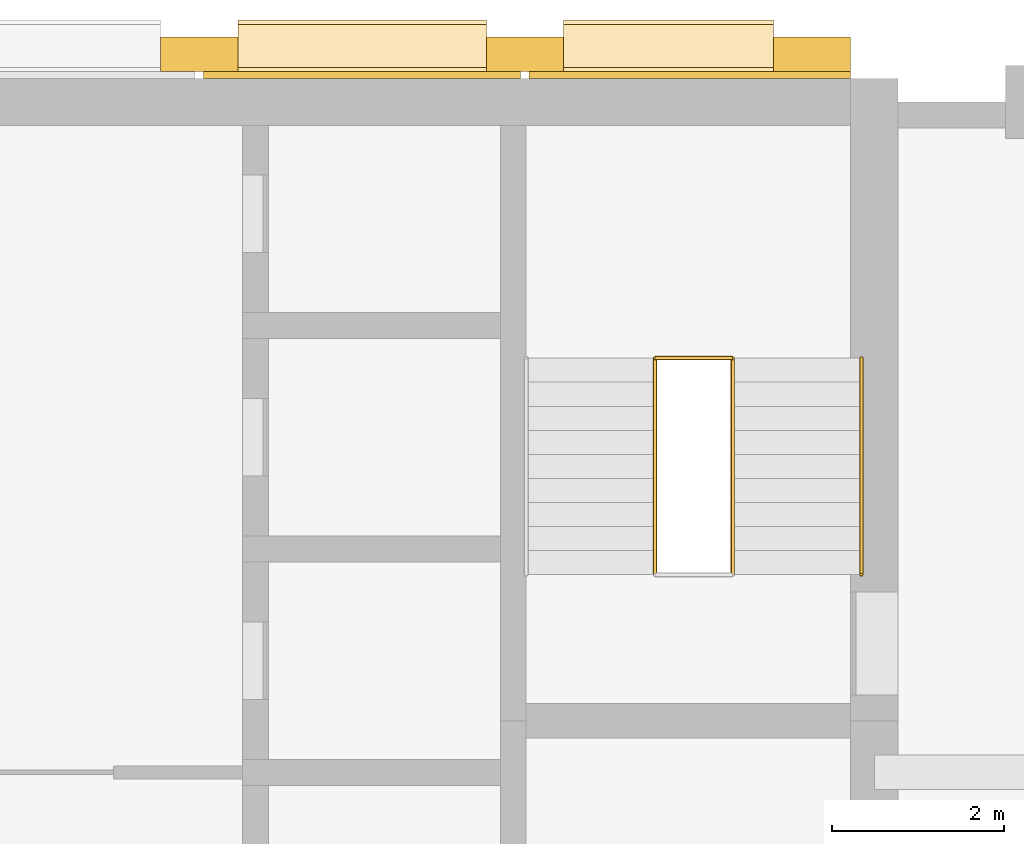
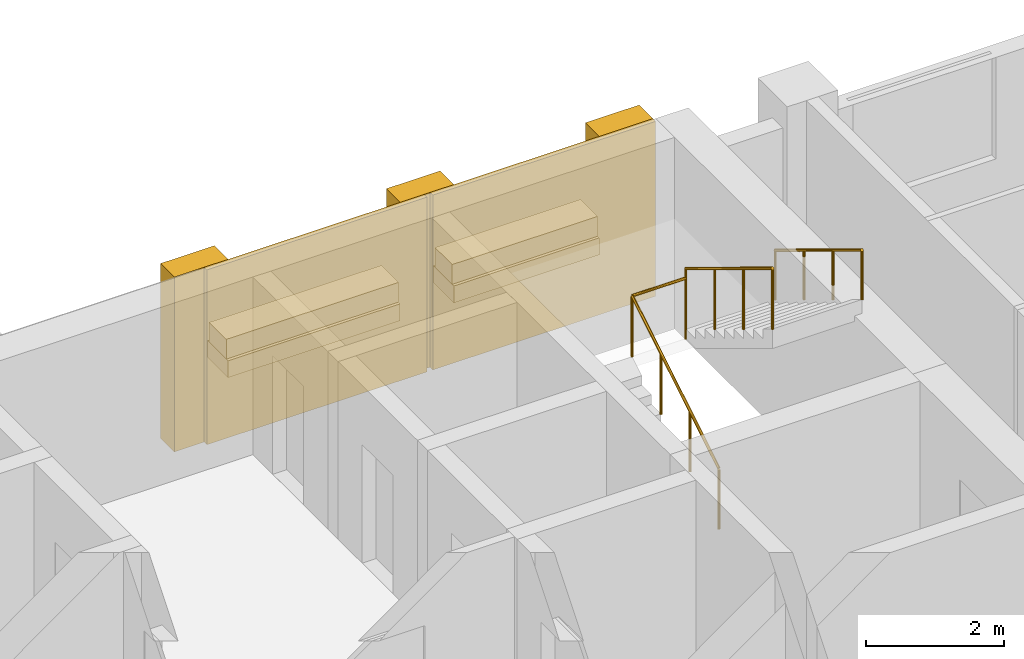
# One storey, part 13 of 13: 9 coverings, 4 railings, 1 element without a shape of its own.
"""IFC4 building model written with IfcOpenShell, lengths in metres."""

from ifc_helpers import new_model, si_unit, direction, frame, origin, origin_2d, place, context, subcontext, project, spatial, rectangle, circle, extrude, material, layer, layer_set, type_object, element, aggregate, save


model = new_model("IFC4")

# Units and contexts
model_context = context("Model", 3, precision=1e-05, world=origin(), true_north=direction((0.0, 1.0)))
body_context = subcontext(model_context, "Body", "Model", "MODEL_VIEW")
ifc_project = project(units=[si_unit("LENGTHUNIT", "METRE"), si_unit("AREAUNIT", "SQUARE_METRE"), si_unit("VOLUMEUNIT", "CUBIC_METRE"), si_unit("PLANEANGLEUNIT", "RADIAN"), si_unit("MASSUNIT", "GRAM", prefix="KILO")], contexts=[model_context])

# Site, building, storey
site_placement = place(None, origin())
site = spatial("IfcSite", under=ifc_project, at=site_placement, CompositionType="ELEMENT")
building_placement = place(site_placement, origin())
building = spatial("IfcBuilding", under=site, at=building_placement, Name="Ludao Terraces", CompositionType="ELEMENT")
storey_placement = place(building_placement, frame((0.0, 0.0, 127.10009765625)))
storey = spatial("IfcBuildingStorey", under=building, at=storey_placement, Name="L34", CompositionType="ELEMENT", Elevation=127.10009765625)

# Coverings
ifc_material_1 = material(Name="Granite cladding", Category="masonry")
ifc_layer_1 = layer(ifc_material_1, 0.39990234375)
ifc_layer_set_1 = layer_set([ifc_layer_1], Name="ENV Core pilaster stone 400")
covering_type_1 = type_object("IfcCoveringType", Name="ENV Core pilaster stone 400", PredefinedType="CLADDING", material=ifc_layer_set_1)
for number, where, z_axis, x_axis, name in (
    (1, (86.89501953125, 85.054931640625, -0.000244140625), (0.0, 0.0, 1.0), (1.0, 0.0, 0.0), "CC-L34-PIL4"),
    (2, (90.68505859375, 85.054931640625, -0.000244140625), (0.0, 0.0, 1.0), (1.0, 0.0, 0.0), "CC-L34-PIL5"),
    (3, (94.02490234375, 85.054931640625, -0.000244140625), (0.0, 0.0, 1.0), (1.0, 0.0, 0.0), "CC-L34-PIL6"),
):
    element("IfcCovering", number, at=place(storey_placement, frame(where, z_axis=z_axis, x_axis=x_axis)), inside=storey, type_object=covering_type_1, Name=name, PredefinedType="CLADDING", context=body_context, shape_type="SweptSolid", body=[
        extrude(rectangle(XDim=0.89990234375, YDim=0.39990234375, at=origin_2d()), origin(), (0.0, 0.0, 1.0), 3.10009765625),
    ])
ifc_layer_2 = layer(ifc_material_1, 0.60009765625)
ifc_layer_set_2 = layer_set([ifc_layer_2], Name="ENV Core planting shelf stone 600")
covering_type_2 = type_object("IfcCoveringType", Name="ENV Core planting shelf stone 600", PredefinedType="CLADDING", material=ifc_layer_set_2)
covering_1_placement = place(storey_placement, frame((88.7900390625, 85.155029296875, 1.0), z_axis=(0.0, 0.0, 1.0), x_axis=(1.0, 0.0, 0.0)))
element("IfcCovering", 4, at=covering_1_placement, inside=storey, type_object=covering_type_2, Name="CC-L34-SHELF4", PredefinedType="CLADDING", context=body_context, shape_type="SweptSolid", body=[
    extrude(rectangle(XDim=2.889892578125, YDim=0.60009765625, at=origin_2d()), origin(), (0.0, 0.0, 1.0), 0.300048828125),
])
covering_2_placement = place(storey_placement, frame((92.35498046875, 85.155029296875, 1.0), z_axis=(0.0, 0.0, 1.0), x_axis=(1.0, 0.0, 0.0)))
element("IfcCovering", 5, at=covering_2_placement, inside=storey, type_object=covering_type_2, Name="CC-L34-SHELF5", PredefinedType="CLADDING", context=body_context, shape_type="SweptSolid", body=[
    extrude(rectangle(XDim=2.43994140625, YDim=0.60009765625, at=origin_2d()), origin(), (0.0, 0.0, 1.0), 0.300048828125),
])
ifc_layer_3 = layer(ifc_material_1, 0.080078125)
ifc_layer_set_3 = layer_set([ifc_layer_3], Name="ENV Core stone cladding panel 80")
covering_type_3 = type_object("IfcCoveringType", Name="ENV Core stone cladding panel 80", PredefinedType="CLADDING", material=ifc_layer_set_3)
covering_3_placement = place(storey_placement, frame((88.7900390625, 84.81494140625, -0.000244140625), z_axis=(0.0, 0.0, 1.0), x_axis=(1.0, 0.0, 0.0)))
element("IfcCovering", 6, at=covering_3_placement, inside=storey, type_object=covering_type_3, Name="CC-L34-CORE4", PredefinedType="CLADDING", context=body_context, shape_type="SweptSolid", body=[
    extrude(rectangle(XDim=3.68994140625, YDim=0.080078125, at=origin_2d()), origin(), (0.0, 0.0, 1.0), 3.10009765625),
])
covering_4_placement = place(storey_placement, frame((92.60498046875, 84.81494140625, -0.000244140625), z_axis=(0.0, 0.0, 1.0), x_axis=(1.0, 0.0, 0.0)))
element("IfcCovering", 7, at=covering_4_placement, inside=storey, type_object=covering_type_3, Name="CC-L34-CORE5", PredefinedType="CLADDING", context=body_context, shape_type="SweptSolid", body=[
    extrude(rectangle(XDim=3.739990234375, YDim=0.080078125, at=origin_2d()), origin(), (0.0, 0.0, 1.0), 3.10009765625),
])
ifc_material_2 = material(Name="Planting")
ifc_layer_4 = layer(ifc_material_2, 0.5)
ifc_layer_set_4 = layer_set([ifc_layer_4], Name="ENV Shelf planting bed 350")
covering_type_4 = type_object("IfcCoveringType", Name="ENV Shelf planting bed 350", PredefinedType="USERDEFINED", material=ifc_layer_set_4)
covering_5_placement = place(storey_placement, frame((88.7900390625, 85.155029296875, 1.2998046875), z_axis=(0.0, 0.0, 1.0), x_axis=(1.0, 0.0, 0.0)))
element("IfcCovering", 8, at=covering_5_placement, inside=storey, type_object=covering_type_4, Name="Shelf planting bed L34 4", ObjectType="PLANTING", PredefinedType="USERDEFINED", context=body_context, shape_type="SweptSolid", body=[
    extrude(rectangle(XDim=2.889892578125, YDim=0.5, at=origin_2d()), origin(), (0.0, 0.0, 1.0), 0.35009765625),
])
covering_6_placement = place(storey_placement, frame((92.35498046875, 85.155029296875, 1.2998046875), z_axis=(0.0, 0.0, 1.0), x_axis=(1.0, 0.0, 0.0)))
element("IfcCovering", 9, at=covering_6_placement, inside=storey, type_object=covering_type_4, Name="Shelf planting bed L34 5", ObjectType="PLANTING", PredefinedType="USERDEFINED", context=body_context, shape_type="SweptSolid", body=[
    extrude(rectangle(XDim=2.43994140625, YDim=0.5, at=origin_2d()), origin(), (0.0, 0.0, 1.0), 0.35009765625),
])

# Stair, railings
ifc_material_3 = material(Name="Concrete C40", Category="concrete")
stair_type = type_object("IfcStairType", Name="INT Stair", PredefinedType="HALF_TURN_STAIR", material=ifc_material_3)
stair_placement = place(storey_placement, origin())
stair = element("IfcStair", 10, at=stair_placement, inside=storey, type_object=stair_type, Name="EXIT STAIR 2", PredefinedType="HALF_TURN_STAIR")
ifc_material_4 = material(Name="Stainless steel 304", Category="steel")
railing_type_1 = type_object("IfcRailingType", Name="INT Stair guard 1100", PredefinedType="GUARDRAIL", material=ifc_material_4)
railing_1_placement = place(storey_placement, frame((92.199951171875, 79.0, 0.169921875)))
railing_1 = element("IfcRailing", 11, at=railing_1_placement, type_object=railing_type_1, Name="ST-L34-S2-R1G", PredefinedType="GUARDRAIL", context=body_context, shape_type="SweptSolid", body=[
    extrude(circle(Radius=0.02392578125, at=origin_2d()), frame((0.0, 0.0, 1.076171875), z_axis=(0.0, 0.85478489116, 0.518982456201), x_axis=(-1.0, 0.0, 0.0)), (0.0, 0.0, 1.0), 2.9482421875),
    extrude(circle(Radius=0.02099609375, at=origin_2d()), origin(), (0.0, 0.0, 1.0), 1.052001953125),
    extrude(circle(Radius=0.02099609375, at=origin_2d()), frame((0.0, 0.840087890625, 0.510009765625)), (0.0, 0.0, 1.0), 1.052001953125),
    extrude(circle(Radius=0.02099609375, at=origin_2d()), frame((0.0, 1.679931640625, 1.02001953125)), (0.0, 0.0, 1.0), 1.052001953125),
    extrude(circle(Radius=0.02099609375, at=origin_2d()), frame((0.0, 2.52001953125, 1.530029296875)), (0.0, 0.0, 1.0), 1.052001953125),
])
railing_2_placement = place(storey_placement, frame((93.10009765625, 81.52001953125, 1.869873046875)))
railing_2 = element("IfcRailing", 12, at=railing_2_placement, type_object=railing_type_1, Name="ST-L34-S2-R2G", PredefinedType="GUARDRAIL", context=body_context, shape_type="SweptSolid", body=[
    extrude(circle(Radius=0.02392578125, at=origin_2d()), frame((0.0, 0.0, 1.076171875), z_axis=(0.0, -0.85478489116, 0.518982456201), x_axis=(1.0, 0.0, 0.0)), (0.0, 0.0, 1.0), 2.9482421875),
    extrude(circle(Radius=0.02099609375, at=origin_2d()), origin(), (0.0, 0.0, 1.0), 1.052001953125),
    extrude(circle(Radius=0.02099609375, at=origin_2d()), frame((0.0, -0.840087890625, 0.510009765625)), (0.0, 0.0, 1.0), 1.052001953125),
    extrude(circle(Radius=0.02099609375, at=origin_2d()), frame((0.0, -1.679931640625, 1.02001953125)), (0.0, 0.0, 1.0), 1.052001953125),
    extrude(circle(Radius=0.02099609375, at=origin_2d()), frame((0.0, -2.52001953125, 1.530029296875)), (0.0, 0.0, 1.0), 1.052001953125),
])
railing_3_placement = place(storey_placement, frame((92.199951171875, 81.52001953125, 1.699951171875)))
railing_3 = element("IfcRailing", 13, at=railing_3_placement, type_object=railing_type_1, Name="ST-L34-S2-E1G", PredefinedType="GUARDRAIL", context=body_context, shape_type="SweptSolid", body=[
    extrude(circle(Radius=0.02392578125, at=origin_2d()), frame((0.0, 0.0, 1.076171875), z_axis=(1.0, 0.0, 0.0), x_axis=(0.0, 1.0, 0.0)), (0.0, 0.0, 1.0), 0.900146484375),
    extrude(circle(Radius=0.02099609375, at=origin_2d()), origin(), (0.0, 0.0, 1.0), 1.052001953125),
    extrude(circle(Radius=0.02099609375, at=origin_2d()), frame((0.900146484375, 0.0, 0.0)), (0.0, 0.0, 1.0), 1.052001953125),
])
railing_type_2 = type_object("IfcRailingType", Name="INT Stair handrail 900", PredefinedType="HANDRAIL", material=ifc_material_4)
railing_4_placement = place(storey_placement, frame((94.60009765625, 81.52001953125, 1.869873046875)))
railing_4 = element("IfcRailing", 14, at=railing_4_placement, type_object=railing_type_2, Name="ST-L34-S2-R2H", PredefinedType="HANDRAIL", context=body_context, shape_type="SweptSolid", body=[
    extrude(circle(Radius=0.02392578125, at=origin_2d()), frame((0.0, 0.0, 0.8759765625), z_axis=(0.0, -0.85478489116, 0.518982456201), x_axis=(1.0, 0.0, 0.0)), (0.0, 0.0, 1.0), 2.9482421875),
    extrude(circle(Radius=0.02099609375, at=origin_2d()), origin(), (0.0, 0.0, 1.0), 0.851806640625),
    extrude(circle(Radius=0.02099609375, at=origin_2d()), frame((0.0, -0.840087890625, 0.510009765625)), (0.0, 0.0, 1.0), 0.851806640625),
    extrude(circle(Radius=0.02099609375, at=origin_2d()), frame((0.0, -1.679931640625, 1.02001953125)), (0.0, 0.0, 1.0), 0.851806640625),
    extrude(circle(Radius=0.02099609375, at=origin_2d()), frame((0.0, -2.52001953125, 1.530029296875)), (0.0, 0.0, 1.0), 0.851806640625),
])
aggregate(stair, [railing_1, railing_2, railing_4, railing_3])

save(model, "model.ifc")
